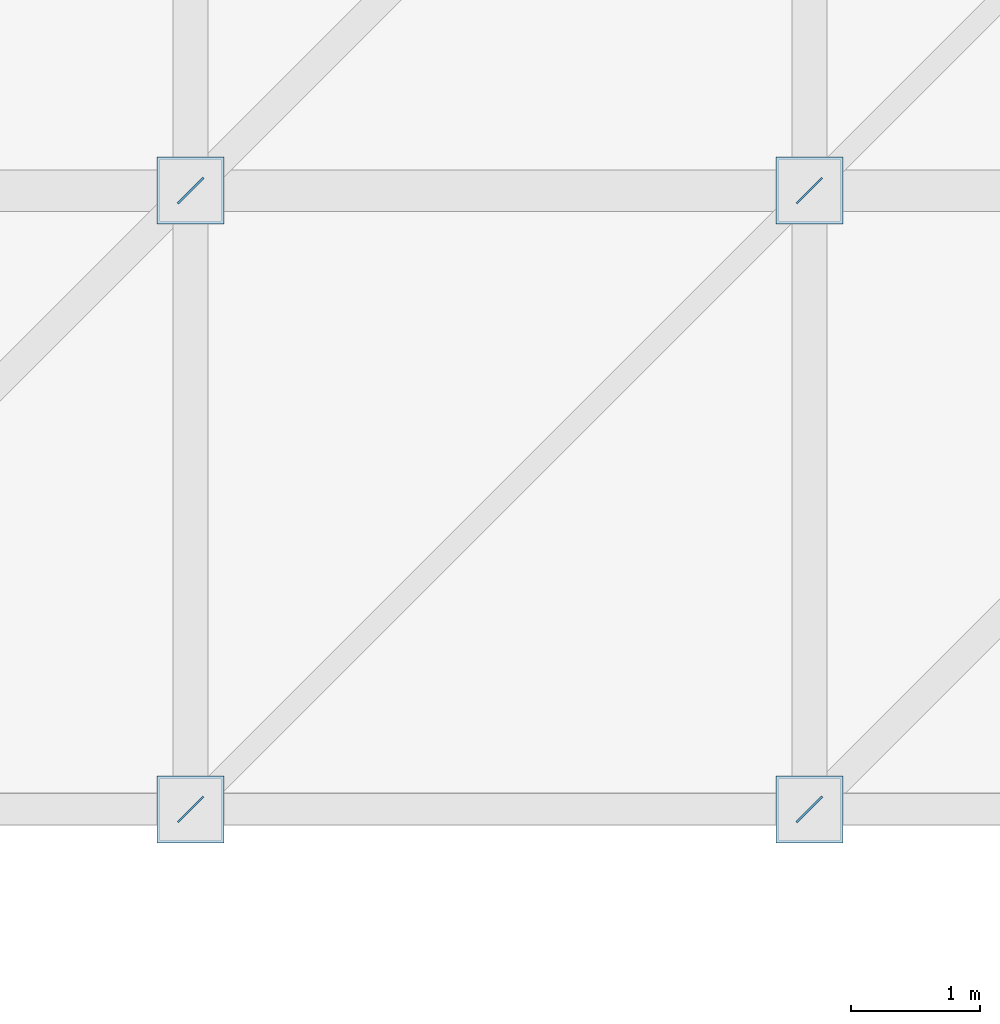
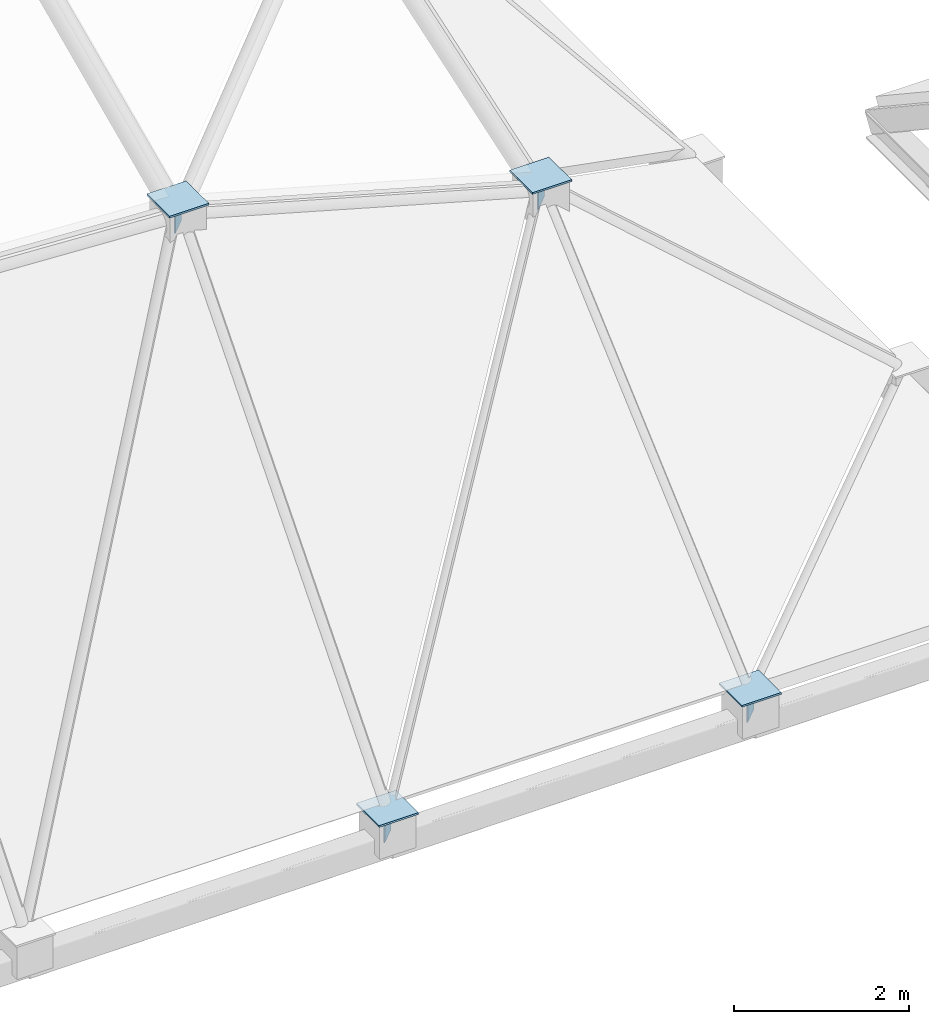
# One storey, part 42 of 70: 8 plates.
"""IFC4 building model written with IfcOpenShell, lengths in metres."""

import ifcopenshell
import ifcopenshell.guid

model = None  # the IFC model being written
_history = None  # IfcOwnerHistory: only IFC2X3 demands one
_inside = {}  # id of a spatial element -> (the spatial element, [elements in it])
_under = {}  # id of a project, library or spatial element -> (it, [spatial elements below it])
_declared = {}  # id of a project -> (the project, [libraries it declares])
_typed = {}  # id of a type object -> (the type object, [elements of that type])
_made_of = {}  # id of a material, layer set ... -> (it, [elements and type objects made of it])


def new_model(schema):
    """Start an empty IFC model of exactly this schema.

    Asked for "IFC4X3", IfcOpenShell would pick the latest addendum, in which some entities
    have other attributes; the version numbers below select the first issue.
    IFC2X3 requires an IfcOwnerHistory on every rooted entity: one is made here for all.
    """
    global model, _history
    if schema == "IFC4X3":
        model = ifcopenshell.file(schema_version=(4, 3, 0, 0))
    else:
        model = ifcopenshell.file(schema=schema)
    _inside.clear()
    _under.clear()
    _declared.clear()
    _typed.clear()
    _made_of.clear()
    _history = None
    if model.schema == "IFC2X3":
        org = make("IfcOrganization", Name="unknown")
        user = make(
            "IfcPersonAndOrganization",
            ThePerson=make("IfcPerson", FamilyName="unknown"),
            TheOrganization=org,
        )
        app = make(
            "IfcApplication",
            ApplicationDeveloper=org,
            Version="unknown",
            ApplicationFullName="unknown",
            ApplicationIdentifier="unknown",
        )
        _history = make(
            "IfcOwnerHistory",
            OwningUser=user,
            OwningApplication=app,
            ChangeAction="ADDED",
            CreationDate=0,
        )
    return model


def make(cls, **values):
    """One entity of the class cls with the attributes given. An attribute that is None is left unset."""
    return model.create_entity(
        cls, **{name: value for name, value in values.items() if value is not None}
    )


def rooted(cls, **values):
    """An entity with a GlobalId (a new one), such as an element, a storey or a relation."""
    return make(cls, GlobalId=ifcopenshell.guid.new(), OwnerHistory=_history, **values)


def si_unit(unit_type, name, prefix=None):
    """IfcSIUnit, for example si_unit("LENGTHUNIT", "METRE", prefix="MILLI")."""
    return make("IfcSIUnit", UnitType=unit_type, Prefix=prefix, Name=name)


def assignment(units):
    """IfcUnitAssignment: the units of a project."""
    return None if units is None else make("IfcUnitAssignment", Units=units)


def point(xyz):
    """IfcCartesianPoint."""
    return None if xyz is None else make("IfcCartesianPoint", Coordinates=xyz)


def direction(xyz):
    """IfcDirection."""
    return None if xyz is None else make("IfcDirection", DirectionRatios=xyz)


def frame(location, z_axis=None, x_axis=None):
    """IfcAxis2Placement3D, a coordinate frame: its origin and axes. An axis left out is left unset."""
    return make(
        "IfcAxis2Placement3D",
        Location=point(location),
        Axis=direction(z_axis),
        RefDirection=direction(x_axis),
    )


def frame_2d(location, x_axis=None):
    """IfcAxis2Placement2D, a coordinate frame in the plane: its origin and x axis."""
    return make(
        "IfcAxis2Placement2D", Location=point(location), RefDirection=direction(x_axis)
    )


def origin():
    """The frame at (0, 0, 0) with its axes left unset."""
    return frame((0.0, 0.0, 0.0))


def origin_2d():
    """The frame at (0, 0) in the plane with its x axis left unset."""
    return frame_2d((0.0, 0.0))


def place(relative_to, where):
    """IfcLocalPlacement: puts the frame where relative to a parent placement (None: the world)."""
    return make(
        "IfcLocalPlacement", PlacementRelTo=relative_to, RelativePlacement=where
    )


def context(
    kind, dimensions, precision=None, world=None, true_north=None, identifier=None
):
    """IfcGeometricRepresentationContext, for example the 3D "Model" context."""
    return make(
        "IfcGeometricRepresentationContext",
        ContextIdentifier=identifier,
        ContextType=kind,
        CoordinateSpaceDimension=dimensions,
        Precision=precision,
        WorldCoordinateSystem=world,
        TrueNorth=true_north,
    )


def subcontext(parent, identifier, kind, view, scale=None):
    """IfcGeometricRepresentationSubContext, for example "Body" below "Model"."""
    return make(
        "IfcGeometricRepresentationSubContext",
        ContextIdentifier=identifier,
        ContextType=kind,
        ParentContext=parent,
        TargetScale=scale,
        TargetView=view,
    )


def project(units=None, contexts=None):
    """IfcProject with its units and contexts."""
    return rooted(
        "IfcProject",
        Name="project",
        RepresentationContexts=contexts,
        UnitsInContext=assignment(units),
    )


def spatial(cls, under=None, at=None, **own):
    """A site, building, storey or space (cls), placed at a placement, below another one or the project."""
    s = rooted(cls, ObjectPlacement=at, **own)
    if under is not None:
        _under.setdefault(under.id(), (under, []))[1].append(s)
    return s


def profile(cls, at=None, kind="AREA", **sizes):
    """A parametric profile (cls). Its sizes go by their IFC names, for example OverallWidth=200.0."""
    return make(cls, ProfileType=kind, Position=at, **sizes)


def rectangle(**sizes):
    """IfcRectangleProfileDef."""
    return profile("IfcRectangleProfileDef", **sizes)


def extrude(swept, where, along, depth):
    """IfcExtrudedAreaSolid: the profile swept, set in the frame where, extruded along a direction by depth."""
    return make(
        "IfcExtrudedAreaSolid",
        SweptArea=swept,
        Position=where,
        ExtrudedDirection=direction(along),
        Depth=depth,
    )


def shape(context_of_items, identifier, shape_type, items):
    """IfcShapeRepresentation: the items that make up one representation, for example the "Body"."""
    return make(
        "IfcShapeRepresentation",
        ContextOfItems=context_of_items,
        RepresentationIdentifier=identifier,
        RepresentationType=shape_type,
        Items=items,
    )


def material(Name=None, Category=None):
    """IfcMaterial."""
    return make("IfcMaterial", Name=Name, Category=Category)


def layer(
    of_material, thickness, ventilated=None, Name=None, Category=None, Priority=None
):
    """IfcMaterialLayer: one layer of a wall or slab, of a material (None: an air gap)."""
    return make(
        "IfcMaterialLayer",
        Material=of_material,
        LayerThickness=thickness,
        IsVentilated=ventilated,
        Name=Name,
        Category=Category,
        Priority=Priority,
    )


def layer_set(layers, Name=None):
    """IfcMaterialLayerSet."""
    return make("IfcMaterialLayerSet", MaterialLayers=layers, LayerSetName=Name)


def made_of(thing, what):
    """Note that an element or type object is made of a material, layer set ...; save() writes the relation."""
    if what is not None:
        _made_of.setdefault(what.id(), (what, []))[1].append(thing)
    return thing


def type_object(cls, material=None, **own):
    """A type object (cls), such as IfcWallType, which elements share."""
    return made_of(rooted(cls, **own), material)


def element(
    cls,
    number,
    at=None,
    inside=None,
    cuts=None,
    type_object=None,
    material=None,
    context=None,
    identifier="Body",
    shape_type=None,
    held_by="IfcProductDefinitionShape",
    body=None,
    shapes=None,
    **own,
):
    """One element of the class cls, such as IfcWall. Its Tag is "e" and its number.

    at: its placement. inside: the storey or other place that contains it. cuts: it is an
    opening in that element (IfcRelVoidsElement). A single representation is given by context,
    identifier, shape_type and body (its items); several are given by shapes. held_by: the class
    of the entity that holds the representations. save() writes the other relations.
    """
    e = rooted(cls, Tag="e%d" % number, ObjectPlacement=at, **own)
    if body is not None:
        shapes = [shape(context, identifier, shape_type, body)]
    if shapes is not None:
        e.Representation = make(held_by, Representations=shapes)
    if inside is not None:
        _inside.setdefault(inside.id(), (inside, []))[1].append(e)
    if cuts is not None:
        rooted(
            "IfcRelVoidsElement", RelatingBuildingElement=cuts, RelatedOpeningElement=e
        )
    if type_object is not None:
        _typed.setdefault(type_object.id(), (type_object, []))[1].append(e)
    return made_of(e, material)


def aggregate(whole, parts):
    """IfcRelAggregates: a whole, such as a stair, and the parts it consists of."""
    return rooted("IfcRelAggregates", RelatingObject=whole, RelatedObjects=parts)


def save(model, path):
    """Write the relations noted so far, then the file.

    IfcRelAggregates (storeys below a building ...), IfcRelContainedInSpatialStructure (elements
    in a storey), IfcRelDefinesByType, IfcRelAssociatesMaterial and IfcRelDeclares: one each for
    every whole, place, type object, material and project.
    """
    for whole, parts in _under.values():
        aggregate(whole, parts)
    for where, things in _inside.values():
        rooted(
            "IfcRelContainedInSpatialStructure",
            RelatedElements=things,
            RelatingStructure=where,
        )
    for kind, things in _typed.values():
        rooted("IfcRelDefinesByType", RelatedObjects=things, RelatingType=kind)
    for what, things in _made_of.values():
        rooted("IfcRelAssociatesMaterial", RelatedObjects=things, RelatingMaterial=what)
    for by, libraries in _declared.values():
        rooted("IfcRelDeclares", RelatingContext=by, RelatedDefinitions=libraries)
    model.write(path)


model = new_model("IFC4")

# Units and contexts
model_context = context("Model", 3, precision=1e-05, world=origin(), true_north=direction((0.0, 1.0)))
body_context = subcontext(model_context, "Body", "Model", "MODEL_VIEW")
ifc_project = project(units=[si_unit("LENGTHUNIT", "METRE"), si_unit("AREAUNIT", "SQUARE_METRE"), si_unit("VOLUMEUNIT", "CUBIC_METRE"), si_unit("PLANEANGLEUNIT", "RADIAN"), si_unit("MASSUNIT", "GRAM", prefix="KILO")], contexts=[model_context])

# Site, building, storey
site_placement = place(None, origin())
site = spatial("IfcSite", under=ifc_project, at=site_placement, CompositionType="ELEMENT")
building_placement = place(site_placement, origin())
building = spatial("IfcBuilding", under=site, at=building_placement, Name="Mavantir Sound Aquarium", CompositionType="ELEMENT")
storey_placement = place(building_placement, frame((0.0, 0.0, 27.0)))
storey = spatial("IfcBuildingStorey", under=building, at=storey_placement, Name="RF", CompositionType="ELEMENT", Elevation=27.0)

# Plates
ifc_material = material(Name="Structural Steel ASTM A572 Gr50", Category="steel")
ifc_layer_1 = layer(ifc_material, 0.01611328125, Name="Structural Steel ASTM A572 Gr50")
ifc_layer_set_1 = layer_set([ifc_layer_1], Name="Structural Steel ASTM A572 Gr50")
plate_type_1 = type_object("IfcPlateType", Name="PLT-GUSSET-16", PredefinedType="SHEET", material=ifc_layer_set_1)
for number, where, z_axis, x_axis, name in (
    (1, (24.0, 45.60009765625, -1.72900390625), (0.0, 0.0, 1.0), (0.707106781187, 0.707106781187, 0.0), "Brace end gusset plate GP-01 45"),
    (2, (24.0, 40.800048828125, -7.33984375), (0.0, 0.0, 1.0), (0.707106781187, 0.707106781187, 0.0), "Brace end gusset plate GP-01 53"),
    (3, (28.800048828125, 45.60009765625, -3.07861328125), (0.0, 0.0, 1.0), (0.707106781187, 0.707106781187, 0.0), "Brace end gusset plate GP-01 54"),
    (4, (28.800048828125, 40.800048828125, -7.33984375), (0.0, 0.0, 1.0), (0.707106781187, 0.707106781187, 0.0), "Brace end gusset plate GP-01 62"),
):
    element("IfcPlate", number, at=place(storey_placement, frame(where, z_axis=z_axis, x_axis=x_axis)), inside=storey, type_object=plate_type_1, Name=name, PredefinedType="SHEET", context=body_context, shape_type="SweptSolid", body=[
        extrude(rectangle(XDim=0.280029296875, YDim=0.01611328125, at=origin_2d()), origin(), (0.0, 0.0, 1.0), 0.280029296875),
    ])
ifc_layer_2 = layer(ifc_material, 0.02490234375, Name="Structural Steel ASTM A572 Gr50")
ifc_layer_set_2 = layer_set([ifc_layer_2], Name="Structural Steel ASTM A572 Gr50")
plate_type_2 = type_object("IfcPlateType", Name="PLT-NODE-25", PredefinedType="SHEET", material=ifc_layer_set_2)
for number, where, z_axis, x_axis, name in (
    (5, (24.0, 40.800048828125, -6.972412109375), (0.0, 0.0, 1.0), (1.0, 0.0, 0.0), "Gridshell steel node cap plate NP-46"),
    (6, (24.0, 45.60009765625, -1.361572265625), (0.0, 0.0, 1.0), (1.0, 0.0, 0.0), "Gridshell steel node cap plate NP-47"),
    (7, (28.800048828125, 40.800048828125, -6.972412109375), (0.0, 0.0, 1.0), (1.0, 0.0, 0.0), "Gridshell steel node cap plate NP-55"),
    (8, (28.800048828125, 45.60009765625, -2.711181640625), (0.0, 0.0, 1.0), (1.0, 0.0, 0.0), "Gridshell steel node cap plate NP-56"),
):
    element("IfcPlate", number, at=place(storey_placement, frame(where, z_axis=z_axis, x_axis=x_axis)), inside=storey, type_object=plate_type_2, Name=name, PredefinedType="SHEET", context=body_context, shape_type="SweptSolid", body=[
        extrude(rectangle(XDim=0.52001953125, YDim=0.52001953125, at=origin_2d()), origin(), (0.0, 0.0, 1.0), 0.02490234375),
    ])

save(model, "model.ifc")
